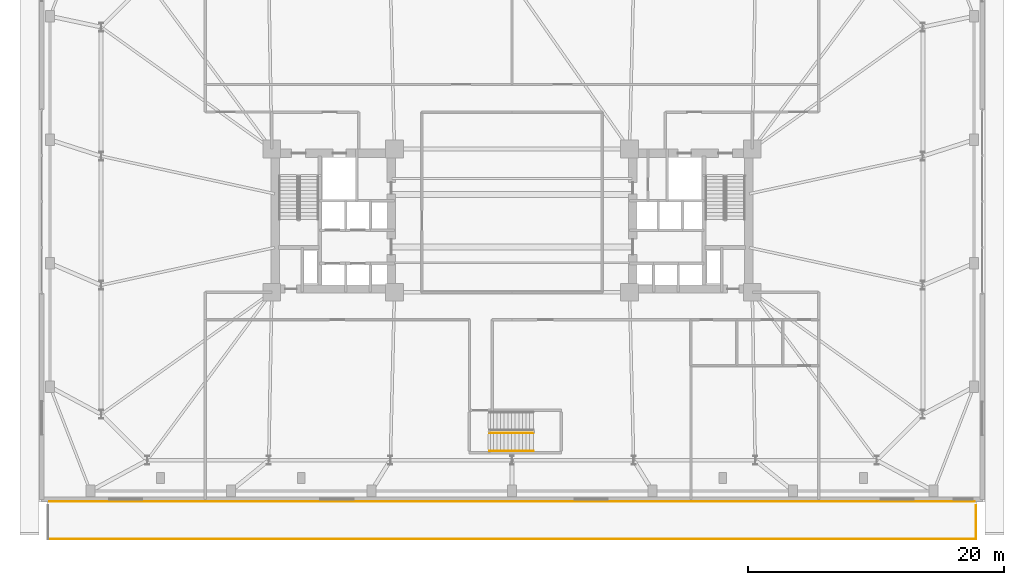
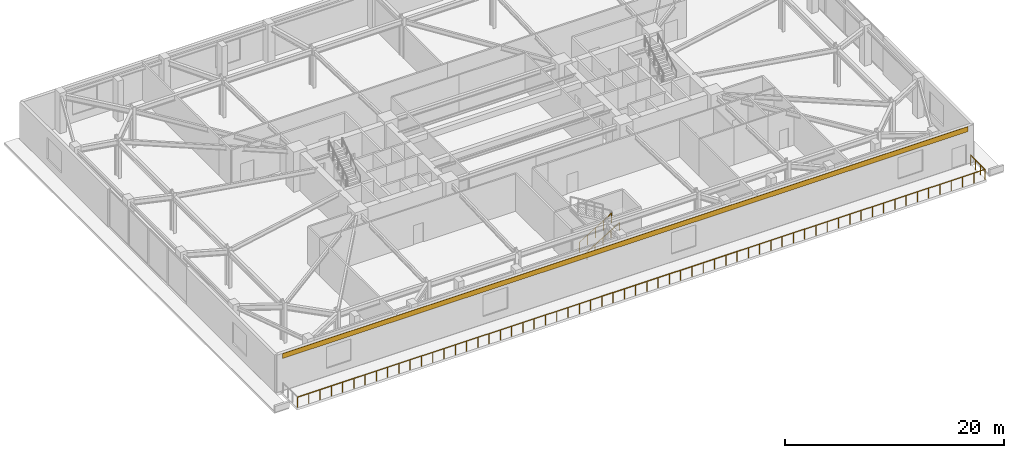
# One storey, part 19 of 21: 3 railings, 1 covering.
"""IFC4 building model written with IfcOpenShell, lengths in metres."""

from ifc_helpers import new_model, si_unit, direction, frame, origin, origin_2d, place, context, subcontext, project, spatial, polyline, circle, outline, extrude, material, layer, layer_set, type_object, element, save


model = new_model("IFC4")

# Units and contexts
model_context = context("Model", 3, precision=1e-05, world=origin(), true_north=direction((0.0, 1.0)))
body_context = subcontext(model_context, "Body", "Model", "MODEL_VIEW")
ifc_project = project(units=[si_unit("LENGTHUNIT", "METRE"), si_unit("AREAUNIT", "SQUARE_METRE"), si_unit("VOLUMEUNIT", "CUBIC_METRE"), si_unit("PLANEANGLEUNIT", "RADIAN"), si_unit("MASSUNIT", "GRAM", prefix="KILO")], contexts=[model_context])

# Site, building, storey
site_placement = place(None, origin())
site = spatial("IfcSite", under=ifc_project, at=site_placement, CompositionType="ELEMENT")
building_placement = place(site_placement, origin())
building = spatial("IfcBuilding", under=site, at=building_placement, Name="Qobustan Lattice House", CompositionType="ELEMENT")
storey_placement = place(building_placement, frame((0.0, 0.0, 13.5)))
storey = spatial("IfcBuildingStorey", under=building, at=storey_placement, Name="L03", CompositionType="ELEMENT", Elevation=13.5)

# Covering
ifc_material_1 = material(Name="Qobustan buff limestone cladding", Category="masonry")
ifc_layer = layer(ifc_material_1, 0.044921875)
ifc_layer_set = layer_set([ifc_layer], Name="Qobustan buff limestone cladding")
covering_type = type_object("IfcCoveringType", Name="COV-STONE-CLAD", PredefinedType="CLADDING", material=ifc_layer_set)
covering_placement = place(storey_placement, frame((0.0, 0.0, 3.6201171875)))
element("IfcCovering", 1, at=covering_placement, inside=storey, type_object=covering_type, Name="L03 S Qobustan limestone cornice band", PredefinedType="CLADDING", context=body_context, shape_type="SweptSolid", body=[
    extrude(outline(polyline([(36.199951171875, -21.9580078125), (36.199951171875, -22.0029296875), (-36.199951171875, -22.0029296875), (-36.199951171875, -21.9580078125), (36.199951171875, -21.9580078125)])), origin(), (0.0, 0.0, 1.0), 0.5498046875),
])

# Railings
ifc_material_2 = material(Name="Brushed stainless steel handrail", Category="steel")
railing_type_1 = type_object("IfcRailingType", Name="RAL-HR-920", PredefinedType="HANDRAIL", material=ifc_material_2)
railing_1_placement = place(storey_placement, frame((-1.75, -18.010009765625, 0.173095703125)))
element("IfcRailing", 2, at=railing_1_placement, inside=storey, type_object=railing_type_1, Name="L03 ST-P1 stair handrail 1", PredefinedType="HANDRAIL", context=body_context, shape_type="SweptSolid", body=[
    extrude(circle(Radius=0.02392578125, at=origin_2d()), frame((0.0, 0.0, 0.8759765625), z_axis=(0.854729506542, 0.0, 0.519073665916), x_axis=(0.0, 1.0, 0.0)), (0.0, 0.0, 1.0), 4.001220703125),
    extrude(circle(Radius=0.02099609375, at=origin_2d()), origin(), (0.0, 0.0, 1.0), 0.851806640625),
    extrude(circle(Radius=0.02099609375, at=origin_2d()), frame((0.85498046875, 0.0, 0.519287109375)), (0.0, 0.0, 1.0), 0.851806640625),
    extrude(circle(Radius=0.02099609375, at=origin_2d()), frame((1.7099609375, 0.0, 1.03857421875)), (0.0, 0.0, 1.0), 0.851806640625),
    extrude(circle(Radius=0.02099609375, at=origin_2d()), frame((2.56494140625, 0.0, 1.5576171875)), (0.0, 0.0, 1.0), 0.851806640625),
    extrude(circle(Radius=0.02099609375, at=origin_2d()), frame((3.419921875, 0.0, 2.076904296875)), (0.0, 0.0, 1.0), 0.851806640625),
])
ifc_material_3 = material(Name="Painted galvanized steel guardrail", Category="steel")
railing_type_2 = type_object("IfcRailingType", Name="RAL-STG-1150", PredefinedType="GUARDRAIL", material=ifc_material_3)
railing_2_placement = place(storey_placement, frame((-1.75, -16.610107421875, 0.173095703125)))
element("IfcRailing", 3, at=railing_2_placement, inside=storey, type_object=railing_type_2, Name="L03 ST-P1 stair guard 1", PredefinedType="GUARDRAIL", context=body_context, shape_type="SweptSolid", body=[
    extrude(circle(Radius=0.02392578125, at=origin_2d()), frame((0.0, 0.0, 1.076171875), z_axis=(0.854729506542, 0.0, 0.519073665916), x_axis=(0.0, 1.0, 0.0)), (0.0, 0.0, 1.0), 4.001220703125),
    extrude(circle(Radius=0.02099609375, at=origin_2d()), origin(), (0.0, 0.0, 1.0), 1.052001953125),
    extrude(circle(Radius=0.02099609375, at=origin_2d()), frame((0.85498046875, 0.0, 0.519287109375)), (0.0, 0.0, 1.0), 1.052001953125),
    extrude(circle(Radius=0.02099609375, at=origin_2d()), frame((1.7099609375, 0.0, 1.03857421875)), (0.0, 0.0, 1.0), 1.052001953125),
    extrude(circle(Radius=0.02099609375, at=origin_2d()), frame((2.56494140625, 0.0, 1.5576171875)), (0.0, 0.0, 1.0), 1.052001953125),
    extrude(circle(Radius=0.02099609375, at=origin_2d()), frame((3.419921875, 0.0, 2.076904296875)), (0.0, 0.0, 1.0), 1.052001953125),
])
ifc_material_4 = material(Name="Anodised bronze and laminated glass balustrade", Category="glass")
railing_type_3 = type_object("IfcRailingType", Name="RAL-TERR-1150", PredefinedType="BALUSTRADE", material=ifc_material_4)
railing_3_placement = place(storey_placement, frame((36.320068359375, -22.300048828125, 0.0)))
element("IfcRailing", 4, at=railing_3_placement, inside=storey, type_object=railing_type_3, Name="L03 outdoor terrace balustrade 2", PredefinedType="BALUSTRADE", context=body_context, shape_type="SweptSolid", body=[
    extrude(circle(Radius=0.02392578125, at=origin_2d()), frame((0.0, 0.0, 1.1259765625), z_axis=(0.0, -1.0, 0.0), x_axis=(1.0, 0.0, 0.0)), (0.0, 0.0, 1.0), 2.619873046875),
    extrude(circle(Radius=0.02392578125, at=origin_2d()), frame((0.0, -2.619873046875, 1.1259765625), z_axis=(-1.0, 0.0, 0.0), x_axis=(0.0, -1.0, 0.0)), (0.0, 0.0, 1.0), 72.64013671875),
    extrude(circle(Radius=0.02099609375, at=origin_2d()), origin(), (0.0, 0.0, 1.0), 1.101806640625),
    extrude(circle(Radius=0.02099609375, at=origin_2d()), frame((0.0, -0.873291015625, 0.0)), (0.0, 0.0, 1.0), 1.101806640625),
    extrude(circle(Radius=0.02099609375, at=origin_2d()), frame((0.0, -1.74658203125, 0.0)), (0.0, 0.0, 1.0), 1.101806640625),
    extrude(circle(Radius=0.02099609375, at=origin_2d()), frame((0.0, -2.619873046875, 0.0)), (0.0, 0.0, 1.0), 1.101806640625),
    extrude(circle(Radius=0.02099609375, at=origin_2d()), frame((-1.19091796875, -2.619873046875, 0.0)), (0.0, 0.0, 1.0), 1.101806640625),
    extrude(circle(Radius=0.02099609375, at=origin_2d()), frame((-2.381591796875, -2.619873046875, 0.0)), (0.0, 0.0, 1.0), 1.101806640625),
    extrude(circle(Radius=0.02099609375, at=origin_2d()), frame((-3.572509765625, -2.619873046875, 0.0)), (0.0, 0.0, 1.0), 1.101806640625),
    extrude(circle(Radius=0.02099609375, at=origin_2d()), frame((-4.76318359375, -2.619873046875, 0.0)), (0.0, 0.0, 1.0), 1.101806640625),
    extrude(circle(Radius=0.02099609375, at=origin_2d()), frame((-5.9541015625, -2.619873046875, 0.0)), (0.0, 0.0, 1.0), 1.101806640625),
    extrude(circle(Radius=0.02099609375, at=origin_2d()), frame((-7.14501953125, -2.619873046875, 0.0)), (0.0, 0.0, 1.0), 1.101806640625),
    extrude(circle(Radius=0.02099609375, at=origin_2d()), frame((-8.335693359375, -2.619873046875, 0.0)), (0.0, 0.0, 1.0), 1.101806640625),
    extrude(circle(Radius=0.02099609375, at=origin_2d()), frame((-9.526611328125, -2.619873046875, 0.0)), (0.0, 0.0, 1.0), 1.101806640625),
    extrude(circle(Radius=0.02099609375, at=origin_2d()), frame((-10.71728515625, -2.619873046875, 0.0)), (0.0, 0.0, 1.0), 1.101806640625),
    extrude(circle(Radius=0.02099609375, at=origin_2d()), frame((-11.908203125, -2.619873046875, 0.0)), (0.0, 0.0, 1.0), 1.101806640625),
    extrude(circle(Radius=0.02099609375, at=origin_2d()), frame((-13.09912109375, -2.619873046875, 0.0)), (0.0, 0.0, 1.0), 1.101806640625),
    extrude(circle(Radius=0.02099609375, at=origin_2d()), frame((-14.289794921875, -2.619873046875, 0.0)), (0.0, 0.0, 1.0), 1.101806640625),
    extrude(circle(Radius=0.02099609375, at=origin_2d()), frame((-15.480712890625, -2.619873046875, 0.0)), (0.0, 0.0, 1.0), 1.101806640625),
    extrude(circle(Radius=0.02099609375, at=origin_2d()), frame((-16.67138671875, -2.619873046875, 0.0)), (0.0, 0.0, 1.0), 1.101806640625),
    extrude(circle(Radius=0.02099609375, at=origin_2d()), frame((-17.8623046875, -2.619873046875, 0.0)), (0.0, 0.0, 1.0), 1.101806640625),
    extrude(circle(Radius=0.02099609375, at=origin_2d()), frame((-19.05322265625, -2.619873046875, 0.0)), (0.0, 0.0, 1.0), 1.101806640625),
    extrude(circle(Radius=0.02099609375, at=origin_2d()), frame((-20.243896484375, -2.619873046875, 0.0)), (0.0, 0.0, 1.0), 1.101806640625),
    extrude(circle(Radius=0.02099609375, at=origin_2d()), frame((-21.434814453125, -2.619873046875, 0.0)), (0.0, 0.0, 1.0), 1.101806640625),
    extrude(circle(Radius=0.02099609375, at=origin_2d()), frame((-22.625732421875, -2.619873046875, 0.0)), (0.0, 0.0, 1.0), 1.101806640625),
    extrude(circle(Radius=0.02099609375, at=origin_2d()), frame((-23.81640625, -2.619873046875, 0.0)), (0.0, 0.0, 1.0), 1.101806640625),
    extrude(circle(Radius=0.02099609375, at=origin_2d()), frame((-25.00732421875, -2.619873046875, 0.0)), (0.0, 0.0, 1.0), 1.101806640625),
    extrude(circle(Radius=0.02099609375, at=origin_2d()), frame((-26.197998046875, -2.619873046875, 0.0)), (0.0, 0.0, 1.0), 1.101806640625),
    extrude(circle(Radius=0.02099609375, at=origin_2d()), frame((-27.388916015625, -2.619873046875, 0.0)), (0.0, 0.0, 1.0), 1.101806640625),
    extrude(circle(Radius=0.02099609375, at=origin_2d()), frame((-28.579833984375, -2.619873046875, 0.0)), (0.0, 0.0, 1.0), 1.101806640625),
    extrude(circle(Radius=0.02099609375, at=origin_2d()), frame((-29.7705078125, -2.619873046875, 0.0)), (0.0, 0.0, 1.0), 1.101806640625),
    extrude(circle(Radius=0.02099609375, at=origin_2d()), frame((-30.96142578125, -2.619873046875, 0.0)), (0.0, 0.0, 1.0), 1.101806640625),
    extrude(circle(Radius=0.02099609375, at=origin_2d()), frame((-32.152099609375, -2.619873046875, 0.0)), (0.0, 0.0, 1.0), 1.101806640625),
    extrude(circle(Radius=0.02099609375, at=origin_2d()), frame((-33.343017578125, -2.619873046875, 0.0)), (0.0, 0.0, 1.0), 1.101806640625),
    extrude(circle(Radius=0.02099609375, at=origin_2d()), frame((-34.533935546875, -2.619873046875, 0.0)), (0.0, 0.0, 1.0), 1.101806640625),
    extrude(circle(Radius=0.02099609375, at=origin_2d()), frame((-35.724609375, -2.619873046875, 0.0)), (0.0, 0.0, 1.0), 1.101806640625),
    extrude(circle(Radius=0.02099609375, at=origin_2d()), frame((-36.91552734375, -2.619873046875, 0.0)), (0.0, 0.0, 1.0), 1.101806640625),
    extrude(circle(Radius=0.02099609375, at=origin_2d()), frame((-38.106201171875, -2.619873046875, 0.0)), (0.0, 0.0, 1.0), 1.101806640625),
    extrude(circle(Radius=0.02099609375, at=origin_2d()), frame((-39.297119140625, -2.619873046875, 0.0)), (0.0, 0.0, 1.0), 1.101806640625),
    extrude(circle(Radius=0.02099609375, at=origin_2d()), frame((-40.488037109375, -2.619873046875, 0.0)), (0.0, 0.0, 1.0), 1.101806640625),
    extrude(circle(Radius=0.02099609375, at=origin_2d()), frame((-41.6787109375, -2.619873046875, 0.0)), (0.0, 0.0, 1.0), 1.101806640625),
    extrude(circle(Radius=0.02099609375, at=origin_2d()), frame((-42.86962890625, -2.619873046875, 0.0)), (0.0, 0.0, 1.0), 1.101806640625),
    extrude(circle(Radius=0.02099609375, at=origin_2d()), frame((-44.060302734375, -2.619873046875, 0.0)), (0.0, 0.0, 1.0), 1.101806640625),
    extrude(circle(Radius=0.02099609375, at=origin_2d()), frame((-45.251220703125, -2.619873046875, 0.0)), (0.0, 0.0, 1.0), 1.101806640625),
    extrude(circle(Radius=0.02099609375, at=origin_2d()), frame((-46.442138671875, -2.619873046875, 0.0)), (0.0, 0.0, 1.0), 1.101806640625),
    extrude(circle(Radius=0.02099609375, at=origin_2d()), frame((-47.6328125, -2.619873046875, 0.0)), (0.0, 0.0, 1.0), 1.101806640625),
    extrude(circle(Radius=0.02099609375, at=origin_2d()), frame((-48.82373046875, -2.619873046875, 0.0)), (0.0, 0.0, 1.0), 1.101806640625),
    extrude(circle(Radius=0.02099609375, at=origin_2d()), frame((-50.014404296875, -2.619873046875, 0.0)), (0.0, 0.0, 1.0), 1.101806640625),
    extrude(circle(Radius=0.02099609375, at=origin_2d()), frame((-51.205322265625, -2.619873046875, 0.0)), (0.0, 0.0, 1.0), 1.101806640625),
    extrude(circle(Radius=0.02099609375, at=origin_2d()), frame((-52.396240234375, -2.619873046875, 0.0)), (0.0, 0.0, 1.0), 1.101806640625),
    extrude(circle(Radius=0.02099609375, at=origin_2d()), frame((-53.5869140625, -2.619873046875, 0.0)), (0.0, 0.0, 1.0), 1.101806640625),
    extrude(circle(Radius=0.02099609375, at=origin_2d()), frame((-54.77783203125, -2.619873046875, 0.0)), (0.0, 0.0, 1.0), 1.101806640625),
    extrude(circle(Radius=0.02099609375, at=origin_2d()), frame((-55.96875, -2.619873046875, 0.0)), (0.0, 0.0, 1.0), 1.101806640625),
    extrude(circle(Radius=0.02099609375, at=origin_2d()), frame((-57.159423828125, -2.619873046875, 0.0)), (0.0, 0.0, 1.0), 1.101806640625),
    extrude(circle(Radius=0.02099609375, at=origin_2d()), frame((-58.350341796875, -2.619873046875, 0.0)), (0.0, 0.0, 1.0), 1.101806640625),
    extrude(circle(Radius=0.02099609375, at=origin_2d()), frame((-59.541015625, -2.619873046875, 0.0)), (0.0, 0.0, 1.0), 1.101806640625),
    extrude(circle(Radius=0.02099609375, at=origin_2d()), frame((-60.73193359375, -2.619873046875, 0.0)), (0.0, 0.0, 1.0), 1.101806640625),
    extrude(circle(Radius=0.02099609375, at=origin_2d()), frame((-61.9228515625, -2.619873046875, 0.0)), (0.0, 0.0, 1.0), 1.101806640625),
    extrude(circle(Radius=0.02099609375, at=origin_2d()), frame((-63.113525390625, -2.619873046875, 0.0)), (0.0, 0.0, 1.0), 1.101806640625),
    extrude(circle(Radius=0.02099609375, at=origin_2d()), frame((-64.304443359375, -2.619873046875, 0.0)), (0.0, 0.0, 1.0), 1.101806640625),
    extrude(circle(Radius=0.02099609375, at=origin_2d()), frame((-65.4951171875, -2.619873046875, 0.0)), (0.0, 0.0, 1.0), 1.101806640625),
    extrude(circle(Radius=0.02099609375, at=origin_2d()), frame((-66.68603515625, -2.619873046875, 0.0)), (0.0, 0.0, 1.0), 1.101806640625),
    extrude(circle(Radius=0.02099609375, at=origin_2d()), frame((-67.876953125, -2.619873046875, 0.0)), (0.0, 0.0, 1.0), 1.101806640625),
    extrude(circle(Radius=0.02099609375, at=origin_2d()), frame((-69.067626953125, -2.619873046875, 0.0)), (0.0, 0.0, 1.0), 1.101806640625),
    extrude(circle(Radius=0.02099609375, at=origin_2d()), frame((-70.258544921875, -2.619873046875, 0.0)), (0.0, 0.0, 1.0), 1.101806640625),
    extrude(circle(Radius=0.02099609375, at=origin_2d()), frame((-71.44921875, -2.619873046875, 0.0)), (0.0, 0.0, 1.0), 1.101806640625),
    extrude(circle(Radius=0.02099609375, at=origin_2d()), frame((-72.64013671875, -2.619873046875, 0.0)), (0.0, 0.0, 1.0), 1.101806640625),
])

save(model, "model.ifc")
